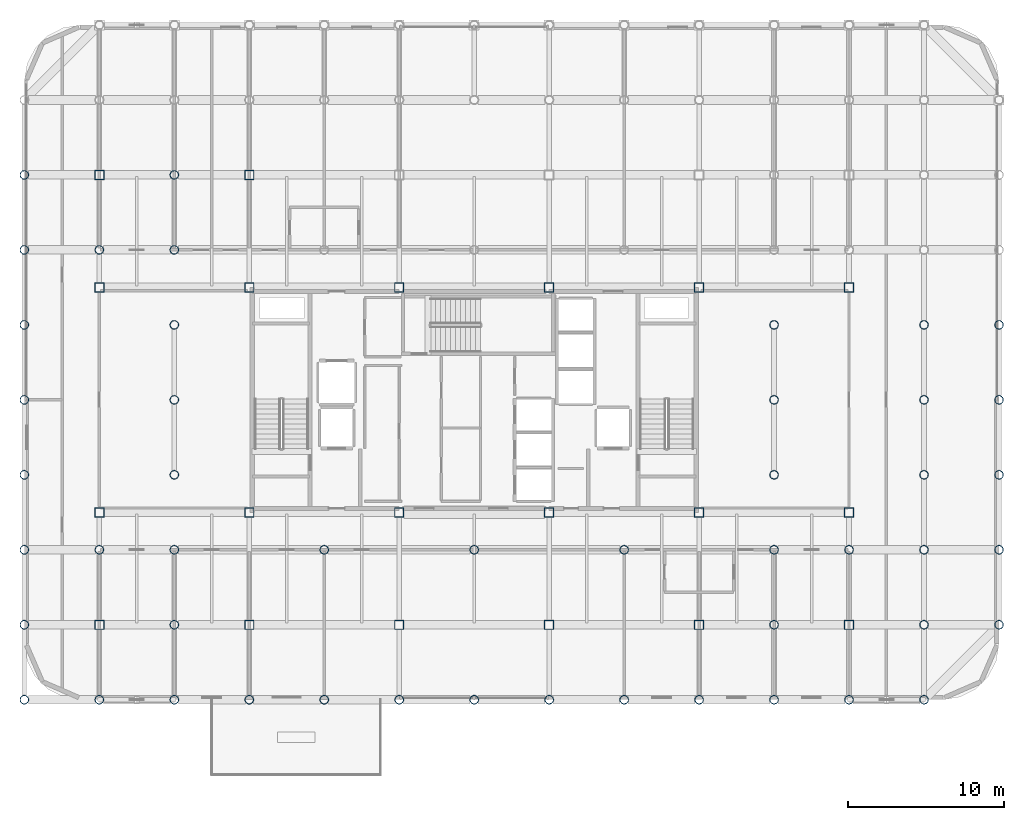
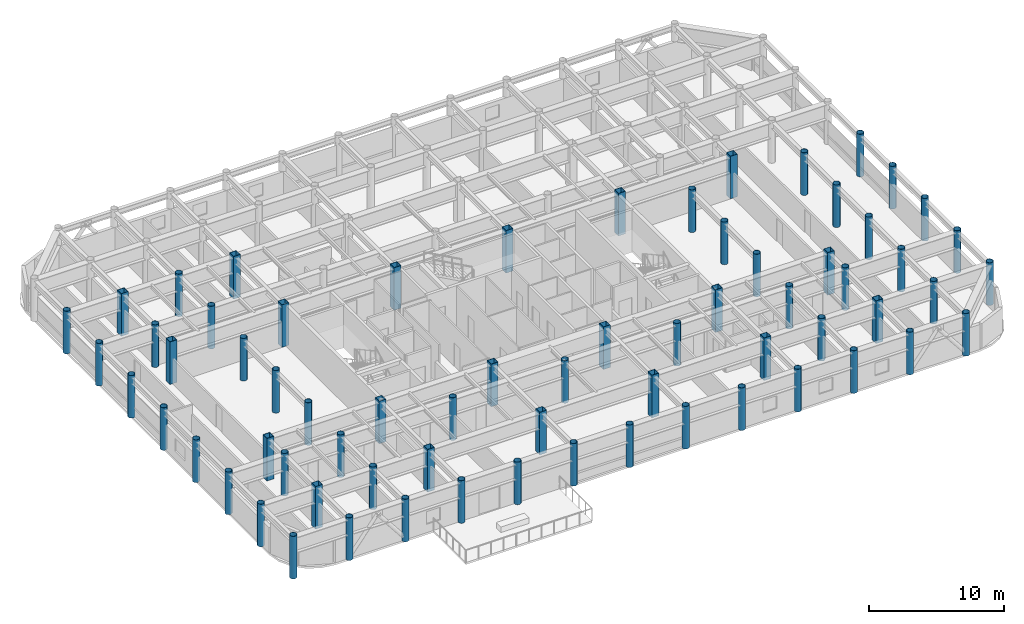
# One storey, part 1 of 26: 68 columns.
"""IFC4 building model written with IfcOpenShell, lengths in metres."""

from ifc_helpers import new_model, si_unit, direction, frame, origin, origin_2d, place, context, subcontext, project, spatial, hollow_rectangle, hollow_circle, extrude, material, material_profile, profile_set, type_object, element, save


model = new_model("IFC4")

# Units and contexts
model_context = context("Model", 3, precision=1e-05, world=origin(), true_north=direction((0.0, 1.0)))
body_context = subcontext(model_context, "Body", "Model", "MODEL_VIEW")
ifc_project = project(units=[si_unit("LENGTHUNIT", "METRE"), si_unit("AREAUNIT", "SQUARE_METRE"), si_unit("VOLUMEUNIT", "CUBIC_METRE"), si_unit("PLANEANGLEUNIT", "RADIAN"), si_unit("MASSUNIT", "GRAM", prefix="KILO")], contexts=[model_context])

# Site, building, storey
site_placement = place(None, origin())
site = spatial("IfcSite", under=ifc_project, at=site_placement, CompositionType="ELEMENT")
building_placement = place(site_placement, origin())
building = spatial("IfcBuilding", under=site, at=building_placement, Name="Kallvorn Hotel Tower", CompositionType="ELEMENT")
storey_placement = place(building_placement, frame((0.0, 0.0, 222.300048828125)))
storey = spatial("IfcBuildingStorey", under=building, at=storey_placement, Name="L55", CompositionType="ELEMENT", Elevation=222.300048828125)

# Columns
ifc_material_1 = material(Name="Structural steel S355J2H", Category="steel")
ifc_material_profile_1 = material_profile(ifc_material_1, hollow_circle(Radius=0.279541015625, WallThickness=0.02490234375, at=origin_2d()), Name="CHS 559x25")
ifc_profile_set_1 = profile_set([ifc_material_profile_1], Name="Structural steel S355J2H")
column_type_1 = type_object("IfcColumnType", Name="COL_CHS_559", PredefinedType="COLUMN", material=ifc_profile_set_1)
for number, where, z_axis, x_axis, name in (
    (1, (-28.800048828125, -19.199951171875, 0.0), (0.0, 0.0, 1.0), (1.0, 0.0, 0.0), "L55 Exoskeleton Column EC01"),
    (2, (-28.800048828125, -14.39990234375, 0.0), (0.0, 0.0, 1.0), (1.0, 0.0, 0.0), "L55 Exoskeleton Column EC02"),
    (3, (-28.800048828125, -9.60009765625, 0.0), (0.0, 0.0, 1.0), (1.0, 0.0, 0.0), "L55 Exoskeleton Column EC03"),
    (4, (-28.800048828125, -4.800048828125, 0.0), (0.0, 0.0, 1.0), (1.0, 0.0, 0.0), "L55 Exoskeleton Column EC04"),
    (5, (-28.800048828125, 0.0, 0.0), (0.0, 0.0, 1.0), (1.0, 0.0, 0.0), "L55 Exoskeleton Column EC05"),
    (6, (-28.800048828125, 4.800048828125, 0.0), (0.0, 0.0, 1.0), (1.0, 0.0, 0.0), "L55 Exoskeleton Column EC06"),
    (7, (-28.800048828125, 9.60009765625, 0.0), (0.0, 0.0, 1.0), (1.0, 0.0, 0.0), "L55 Exoskeleton Column EC07"),
    (8, (-28.800048828125, 14.39990234375, 0.0), (0.0, 0.0, 1.0), (1.0, 0.0, 0.0), "L55 Exoskeleton Column EC08"),
    (9, (-24.0, -19.199951171875, 0.0), (0.0, 0.0, 1.0), (1.0, 0.0, 0.0), "L55 Exoskeleton Column EC10"),
    (10, (-24.0, -9.60009765625, 0.0), (0.0, 0.0, 1.0), (1.0, 0.0, 0.0), "L55 Exoskeleton Column EC11"),
    (11, (-24.0, 9.60009765625, 0.0), (0.0, 0.0, 1.0), (1.0, 0.0, 0.0), "L55 Exoskeleton Column EC12"),
    (12, (-19.199951171875, -19.199951171875, 0.0), (0.0, 0.0, 1.0), (1.0, 0.0, 0.0), "L55 Exoskeleton Column EC15"),
    (13, (-19.199951171875, -14.39990234375, 0.0), (0.0, 0.0, 1.0), (1.0, 0.0, 0.0), "L55 Exoskeleton Column EC16"),
    (14, (-19.199951171875, -9.60009765625, 0.0), (0.0, 0.0, 1.0), (1.0, 0.0, 0.0), "L55 Exoskeleton Column EC17"),
    (15, (-19.199951171875, -4.800048828125, 0.0), (0.0, 0.0, 1.0), (1.0, 0.0, 0.0), "L55 Exoskeleton Column EC18"),
    (16, (-19.199951171875, 0.0, 0.0), (0.0, 0.0, 1.0), (1.0, 0.0, 0.0), "L55 Exoskeleton Column EC19"),
    (17, (-19.199951171875, 4.800048828125, 0.0), (0.0, 0.0, 1.0), (1.0, 0.0, 0.0), "L55 Exoskeleton Column EC20"),
    (18, (-19.199951171875, 9.60009765625, 0.0), (0.0, 0.0, 1.0), (1.0, 0.0, 0.0), "L55 Exoskeleton Column EC21"),
    (19, (-19.199951171875, 14.39990234375, 0.0), (0.0, 0.0, 1.0), (1.0, 0.0, 0.0), "L55 Exoskeleton Column EC22"),
    (20, (-14.39990234375, -19.199951171875, 0.0), (0.0, 0.0, 1.0), (1.0, 0.0, 0.0), "L55 Exoskeleton Column EC25"),
    (21, (-9.60009765625, -19.199951171875, 0.0), (0.0, 0.0, 1.0), (1.0, 0.0, 0.0), "L55 Exoskeleton Column EC28"),
    (22, (-9.60009765625, -9.60009765625, 0.0), (0.0, 0.0, 1.0), (1.0, 0.0, 0.0), "L55 Exoskeleton Column EC29"),
    (23, (-4.800048828125, -19.199951171875, 0.0), (0.0, 0.0, 1.0), (1.0, 0.0, 0.0), "L55 Exoskeleton Column EC33"),
    (24, (0.0, -19.199951171875, 0.0), (0.0, 0.0, 1.0), (1.0, 0.0, 0.0), "L55 Exoskeleton Column EC36"),
    (25, (0.0, -9.60009765625, 0.0), (0.0, 0.0, 1.0), (1.0, 0.0, 0.0), "L55 Exoskeleton Column EC37"),
    (26, (4.800048828125, -19.199951171875, 0.0), (0.0, 0.0, 1.0), (1.0, 0.0, 0.0), "L55 Exoskeleton Column EC41"),
    (27, (9.60009765625, -19.199951171875, 0.0), (0.0, 0.0, 1.0), (1.0, 0.0, 0.0), "L55 Exoskeleton Column EC44"),
    (28, (9.60009765625, -9.60009765625, 0.0), (0.0, 0.0, 1.0), (1.0, 0.0, 0.0), "L55 Exoskeleton Column EC45"),
    (29, (14.39990234375, -19.199951171875, 0.0), (0.0, 0.0, 1.0), (1.0, 0.0, 0.0), "L55 Exoskeleton Column EC49"),
    (30, (19.199951171875, -19.199951171875, 0.0), (0.0, 0.0, 1.0), (1.0, 0.0, 0.0), "L55 Exoskeleton Column EC52"),
    (31, (19.199951171875, -14.39990234375, 0.0), (0.0, 0.0, 1.0), (1.0, 0.0, 0.0), "L55 Exoskeleton Column EC53"),
    (32, (19.199951171875, -9.60009765625, 0.0), (0.0, 0.0, 1.0), (1.0, 0.0, 0.0), "L55 Exoskeleton Column EC54"),
    (33, (19.199951171875, -4.800048828125, 0.0), (0.0, 0.0, 1.0), (1.0, 0.0, 0.0), "L55 Exoskeleton Column EC55"),
    (34, (19.199951171875, 0.0, 0.0), (0.0, 0.0, 1.0), (1.0, 0.0, 0.0), "L55 Exoskeleton Column EC56"),
    (35, (19.199951171875, 4.800048828125, 0.0), (0.0, 0.0, 1.0), (1.0, 0.0, 0.0), "L55 Exoskeleton Column EC57"),
    (36, (24.0, -19.199951171875, 0.0), (0.0, 0.0, 1.0), (1.0, 0.0, 0.0), "L55 Exoskeleton Column EC62"),
    (37, (24.0, -9.60009765625, 0.0), (0.0, 0.0, 1.0), (1.0, 0.0, 0.0), "L55 Exoskeleton Column EC63"),
    (38, (28.800048828125, -19.199951171875, 0.0), (0.0, 0.0, 1.0), (1.0, 0.0, 0.0), "L55 Exoskeleton Column EC67"),
    (39, (28.800048828125, -14.39990234375, 0.0), (0.0, 0.0, 1.0), (1.0, 0.0, 0.0), "L55 Exoskeleton Column EC68"),
    (40, (28.800048828125, -9.60009765625, 0.0), (0.0, 0.0, 1.0), (1.0, 0.0, 0.0), "L55 Exoskeleton Column EC69"),
    (41, (28.800048828125, -4.800048828125, 0.0), (0.0, 0.0, 1.0), (1.0, 0.0, 0.0), "L55 Exoskeleton Column EC70"),
    (42, (28.800048828125, 0.0, 0.0), (0.0, 0.0, 1.0), (1.0, 0.0, 0.0), "L55 Exoskeleton Column EC71"),
    (43, (28.800048828125, 4.800048828125, 0.0), (0.0, 0.0, 1.0), (1.0, 0.0, 0.0), "L55 Exoskeleton Column EC72"),
    (44, (33.60009765625, -14.39990234375, 0.0), (0.0, 0.0, 1.0), (1.0, 0.0, 0.0), "L55 Exoskeleton Column EC77"),
    (45, (33.60009765625, -9.60009765625, 0.0), (0.0, 0.0, 1.0), (1.0, 0.0, 0.0), "L55 Exoskeleton Column EC78"),
    (46, (33.60009765625, -4.800048828125, 0.0), (0.0, 0.0, 1.0), (1.0, 0.0, 0.0), "L55 Exoskeleton Column EC79"),
    (47, (33.60009765625, 0.0, 0.0), (0.0, 0.0, 1.0), (1.0, 0.0, 0.0), "L55 Exoskeleton Column EC80"),
    (48, (33.60009765625, 4.800048828125, 0.0), (0.0, 0.0, 1.0), (1.0, 0.0, 0.0), "L55 Exoskeleton Column EC81"),
):
    element("IfcColumn", number, at=place(storey_placement, frame(where, z_axis=z_axis, x_axis=x_axis)), inside=storey, type_object=column_type_1, Name=name, PredefinedType="COLUMN", context=body_context, shape_type="SweptSolid", body=[
        extrude(hollow_circle(Radius=0.279541015625, WallThickness=0.02490234375, at=origin_2d()), origin(), (0.0, 0.0, 1.0), 3.849853515625),
    ])
ifc_material_2 = material(Name="Structural steel S355J2H", Category="steel")
ifc_material_profile_2 = material_profile(ifc_material_2, hollow_rectangle(XDim=0.60009765625, YDim=0.60009765625, WallThickness=0.028076171875, at=origin_2d()), Name="RHS 600x600x28")
ifc_profile_set_2 = profile_set([ifc_material_profile_2], Name="Structural steel S355J2H")
column_type_2 = type_object("IfcColumnType", Name="COL_RHS_600", PredefinedType="COLUMN", material=ifc_profile_set_2)
for number, where, z_axis, x_axis, name in (
    (49, (-24.0, -14.39990234375, 0.0), (0.0, 0.0, 1.0), (1.0, 0.0, 0.0), "L55 Inner Column IC01"),
    (50, (-24.0, -7.199951171875, 0.0), (0.0, 0.0, 1.0), (1.0, 0.0, 0.0), "L55 Inner Column IC02"),
    (51, (-24.0, 7.199951171875, 0.0), (0.0, 0.0, 1.0), (1.0, 0.0, 0.0), "L55 Inner Column IC03"),
    (52, (-24.0, 14.39990234375, 0.0), (0.0, 0.0, 1.0), (1.0, 0.0, 0.0), "L55 Inner Column IC04"),
    (53, (-14.39990234375, -14.39990234375, 0.0), (0.0, 0.0, 1.0), (1.0, 0.0, 0.0), "L55 Inner Column IC05"),
    (54, (-14.39990234375, -7.199951171875, 0.0), (0.0, 0.0, 1.0), (1.0, 0.0, 0.0), "L55 Inner Column IC06"),
    (55, (-14.39990234375, 7.199951171875, 0.0), (0.0, 0.0, 1.0), (1.0, 0.0, 0.0), "L55 Inner Column IC07"),
    (56, (-14.39990234375, 14.39990234375, 0.0), (0.0, 0.0, 1.0), (1.0, 0.0, 0.0), "L55 Inner Column IC08"),
    (57, (-4.800048828125, -14.39990234375, 0.0), (0.0, 0.0, 1.0), (1.0, 0.0, 0.0), "L55 Inner Column IC09"),
    (58, (-4.800048828125, -7.199951171875, 0.0), (0.0, 0.0, 1.0), (1.0, 0.0, 0.0), "L55 Inner Column IC10"),
    (59, (-4.800048828125, 7.199951171875, 0.0), (0.0, 0.0, 1.0), (1.0, 0.0, 0.0), "L55 Inner Column IC11"),
    (60, (4.800048828125, -14.39990234375, 0.0), (0.0, 0.0, 1.0), (1.0, 0.0, 0.0), "L55 Inner Column IC13"),
    (61, (4.800048828125, -7.199951171875, 0.0), (0.0, 0.0, 1.0), (1.0, 0.0, 0.0), "L55 Inner Column IC14"),
    (62, (4.800048828125, 7.199951171875, 0.0), (0.0, 0.0, 1.0), (1.0, 0.0, 0.0), "L55 Inner Column IC15"),
    (63, (14.39990234375, -14.39990234375, 0.0), (0.0, 0.0, 1.0), (1.0, 0.0, 0.0), "L55 Inner Column IC17"),
    (64, (14.39990234375, -7.199951171875, 0.0), (0.0, 0.0, 1.0), (1.0, 0.0, 0.0), "L55 Inner Column IC18"),
    (65, (14.39990234375, 7.199951171875, 0.0), (0.0, 0.0, 1.0), (1.0, 0.0, 0.0), "L55 Inner Column IC19"),
    (66, (24.0, -14.39990234375, 0.0), (0.0, 0.0, 1.0), (1.0, 0.0, 0.0), "L55 Inner Column IC21"),
    (67, (24.0, -7.199951171875, 0.0), (0.0, 0.0, 1.0), (1.0, 0.0, 0.0), "L55 Inner Column IC22"),
    (68, (24.0, 7.199951171875, 0.0), (0.0, 0.0, 1.0), (1.0, 0.0, 0.0), "L55 Inner Column IC23"),
):
    element("IfcColumn", number, at=place(storey_placement, frame(where, z_axis=z_axis, x_axis=x_axis)), inside=storey, type_object=column_type_2, Name=name, PredefinedType="COLUMN", context=body_context, shape_type="SweptSolid", body=[
        extrude(hollow_rectangle(XDim=0.60009765625, YDim=0.60009765625, WallThickness=0.028076171875, at=origin_2d()), origin(), (0.0, 0.0, 1.0), 3.849853515625),
    ])

save(model, "model.ifc")
